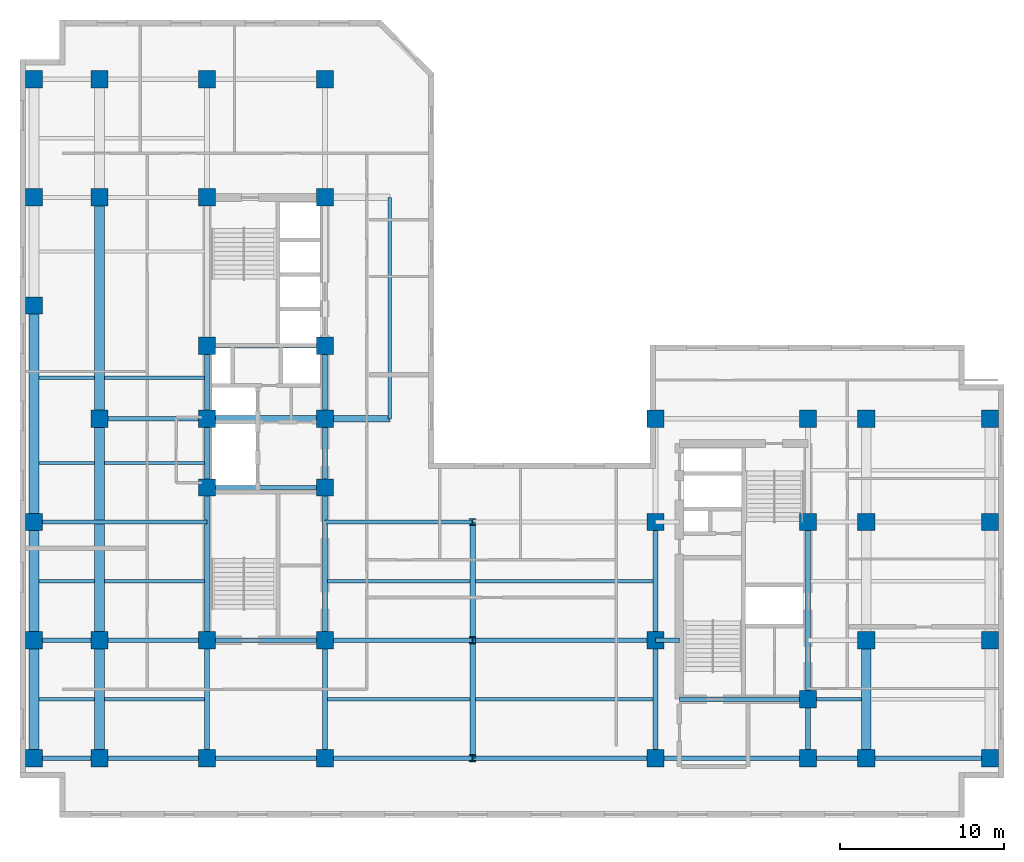
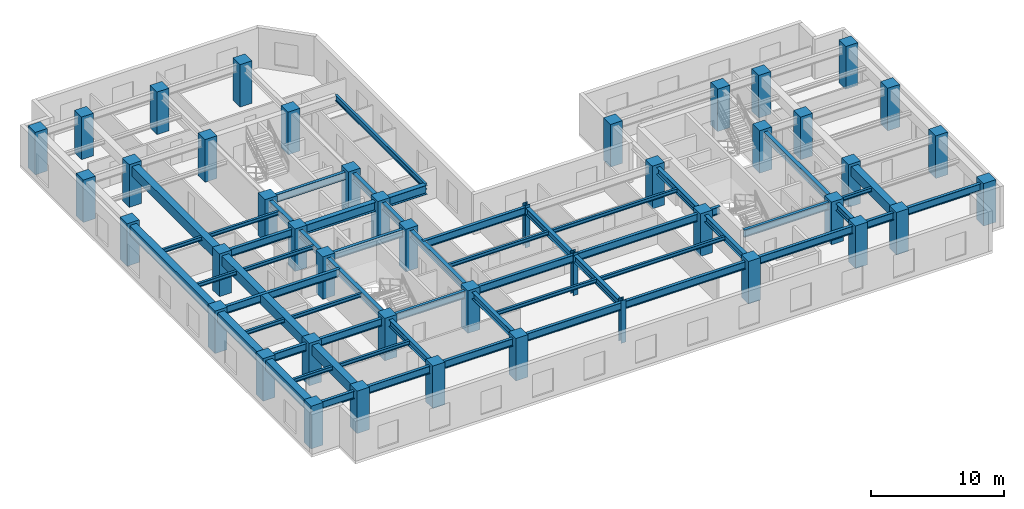
# One storey, part 1 of 10: 56 beams, 44 columns.
"""IFC4 building model written with IfcOpenShell, lengths in metres."""

from ifc_helpers import new_model, entity, si_unit, converted_unit, direction, frame, origin_with_axes, origin_2d_with_axis, place, context, subcontext, project, spatial, rectangle, i_section, extrude, material, material_profile, profile_set, type_object, element, save


model = new_model("IFC4")

# Units and contexts
model_context = context("Model", 3, precision=1e-05, world=origin_with_axes(), true_north=direction((0.0, 1.0)))
body_context = subcontext(model_context, "Body", "Model", "MODEL_VIEW")
ifc_project = project(units=[si_unit("LENGTHUNIT", "METRE"), si_unit("AREAUNIT", "SQUARE_METRE"), si_unit("VOLUMEUNIT", "CUBIC_METRE"), converted_unit("PLANEANGLEUNIT", "DEGREE", entity("IfcPlaneAngleMeasure", 0.017453292519943295), si_unit("PLANEANGLEUNIT", "RADIAN"), dimensions=[0, 0, 0, 0, 0, 0, 0]), si_unit("MASSUNIT", "GRAM", prefix="KILO"), si_unit("THERMODYNAMICTEMPERATUREUNIT", "KELVIN")], contexts=[model_context])

# Site, building, storey
site_placement = place(None, origin_with_axes())
site = spatial("IfcSite", under=ifc_project, at=site_placement, CompositionType="ELEMENT")
building_placement = place(site_placement, origin_with_axes())
building = spatial("IfcBuilding", under=site, at=building_placement, Name="Varnlund Millrace Tower", CompositionType="ELEMENT")
storey_placement = place(building_placement, frame((0.0, 0.0, 175.8), z_axis=(0.0, 0.0, 1.0), x_axis=(1.0, 0.0, 0.0)))
storey = spatial("IfcBuildingStorey", under=building, at=storey_placement, Name="L43", CompositionType="ELEMENT", Elevation=175.8)

# Columns
ifc_material_1 = material(Name="Steel ASTM A913 Grade 65", Category="steel")
ifc_material_profile_1 = material_profile(ifc_material_1, i_section(OverallWidth=0.406, OverallDepth=0.416, WebThickness=0.0298, FlangeThickness=0.048, FilletRadius=0.022, at=origin_2d_with_axis()), Name="Steel ASTM A913 Grade 65")
ifc_profile_set_1 = profile_set([ifc_material_profile_1], Name="Steel ASTM A913 Grade 65")
column_type_1 = type_object("IfcColumnType", Name="Type-Col-Int-W14X257", PredefinedType="COLUMN", material=ifc_profile_set_1)
for number, where, z_axis, x_axis, name in (
    (1, (27.6, 3.6, 0.0), (0.0, 0.0, 1.0), (1.0, 0.0, 0.0), "Type-Col-Int-W14X257"),
    (2, (27.6, 10.8, 0.0), (0.0, 0.0, 1.0), (1.0, 0.0, 0.0), "Type-Col-Int-W14X257"),
    (3, (27.6, 18.0, 0.0), (0.0, 0.0, 1.0), (1.0, 0.0, 0.0), "Type-Col-Int-W14X257"),
):
    element("IfcColumn", number, at=place(storey_placement, frame(where, z_axis=z_axis, x_axis=x_axis)), inside=storey, type_object=column_type_1, Name=name, PredefinedType="COLUMN", context=body_context, shape_type="SweptSolid", body=[
        extrude(i_section(OverallWidth=0.406, OverallDepth=0.416, WebThickness=0.0298, FlangeThickness=0.048, FilletRadius=0.022, at=origin_2d_with_axis()), origin_with_axes(), (0.0, 0.0, 1.0), 3.9),
    ])
ifc_material_2 = material(Name="Concrete C70/85", Category="concrete")
ifc_material_profile_2 = material_profile(ifc_material_2, rectangle(XDim=1.05, YDim=1.05, at=origin_2d_with_axis()), Name="Concrete C70/85")
ifc_profile_set_2 = profile_set([ifc_material_profile_2], Name="Concrete C70/85")
column_type_2 = type_object("IfcColumnType", Name="Type-Col-RC1050-C70", PredefinedType="COLUMN", material=ifc_profile_set_2)
for number, where, z_axis, x_axis, name in (
    (4, (11.4, 3.6, 0.0), (0.0, 0.0, 1.0), (1.0, 0.0, 0.0), "Type-Col-RC1050-C70"),
    (5, (11.4, 10.8, 0.0), (0.0, 0.0, 1.0), (1.0, 0.0, 0.0), "Type-Col-RC1050-C70"),
    (6, (11.4, 20.1, 0.0), (0.0, 0.0, 1.0), (1.0, 0.0, 0.0), "Type-Col-RC1050-C70"),
    (7, (11.4, 24.3, 0.0), (0.0, 0.0, 1.0), (1.0, 0.0, 0.0), "Type-Col-RC1050-C70"),
    (8, (11.4, 28.75, 0.0), (0.0, 0.0, 1.0), (1.0, 0.0, 0.0), "Type-Col-RC1050-C70"),
    (9, (11.4, 37.8, 0.0), (0.0, 0.0, 1.0), (1.0, 0.0, 0.0), "Type-Col-RC1050-C70"),
    (10, (11.4, 45.0, 0.0), (0.0, 0.0, 1.0), (1.0, 0.0, 0.0), "Type-Col-RC1050-C70"),
    (11, (18.6, 3.6, 0.0), (0.0, 0.0, 1.0), (1.0, 0.0, 0.0), "Type-Col-RC1050-C70"),
    (12, (18.6, 10.8, 0.0), (0.0, 0.0, 1.0), (1.0, 0.0, 0.0), "Type-Col-RC1050-C70"),
    (13, (18.6, 20.1, 0.0), (0.0, 0.0, 1.0), (1.0, 0.0, 0.0), "Type-Col-RC1050-C70"),
    (14, (18.6, 24.3, 0.0), (0.0, 0.0, 1.0), (1.0, 0.0, 0.0), "Type-Col-RC1050-C70"),
    (15, (18.6, 28.75, 0.0), (0.0, 0.0, 1.0), (1.0, 0.0, 0.0), "Type-Col-RC1050-C70"),
    (16, (18.6, 37.8, 0.0), (0.0, 0.0, 1.0), (1.0, 0.0, 0.0), "Type-Col-RC1050-C70"),
    (17, (18.6, 45.0, 0.0), (0.0, 0.0, 1.0), (1.0, 0.0, 0.0), "Type-Col-RC1050-C70"),
    (18, (4.85, 3.6, 0.0), (0.0, 0.0, 1.0), (1.0, 0.0, 0.0), "Type-Col-RC1050-C70"),
    (19, (4.85, 10.8, 0.0), (0.0, 0.0, 1.0), (1.0, 0.0, 0.0), "Type-Col-RC1050-C70"),
    (20, (4.85, 24.3, 0.0), (0.0, 0.0, 1.0), (1.0, 0.0, 0.0), "Type-Col-RC1050-C70"),
    (21, (4.85, 37.8, 0.0), (0.0, 0.0, 1.0), (1.0, 0.0, 0.0), "Type-Col-RC1050-C70"),
    (22, (4.85, 45.0, 0.0), (0.0, 0.0, 1.0), (1.0, 0.0, 0.0), "Type-Col-RC1050-C70"),
    (23, (0.85, 3.6, 0.0), (0.0, 0.0, 1.0), (1.0, 0.0, 0.0), "Type-Col-RC1050-C70"),
    (24, (0.85, 10.8, 0.0), (0.0, 0.0, 1.0), (1.0, 0.0, 0.0), "Type-Col-RC1050-C70"),
    (25, (0.85, 18.0, 0.0), (0.0, 0.0, 1.0), (1.0, 0.0, 0.0), "Type-Col-RC1050-C70"),
    (26, (0.85, 31.2, 0.0), (0.0, 0.0, 1.0), (1.0, 0.0, 0.0), "Type-Col-RC1050-C70"),
    (27, (0.85, 37.8, 0.0), (0.0, 0.0, 1.0), (1.0, 0.0, 0.0), "Type-Col-RC1050-C70"),
    (28, (0.85, 45.0, 0.0), (0.0, 0.0, 1.0), (1.0, 0.0, 0.0), "Type-Col-RC1050-C70"),
    (29, (38.75, 3.6, 0.0), (0.0, 0.0, 1.0), (1.0, 0.0, 0.0), "Type-Col-RC1050-C70"),
    (30, (38.75, 10.8, 0.0), (0.0, 0.0, 1.0), (1.0, 0.0, 0.0), "Type-Col-RC1050-C70"),
    (31, (38.75, 18.0, 0.0), (0.0, 0.0, 1.0), (1.0, 0.0, 0.0), "Type-Col-RC1050-C70"),
    (32, (38.75, 24.3, 0.0), (0.0, 0.0, 1.0), (1.0, 0.0, 0.0), "Type-Col-RC1050-C70"),
    (33, (48.05, 3.6, 0.0), (0.0, 0.0, 1.0), (1.0, 0.0, 0.0), "Type-Col-RC1050-C70"),
    (34, (48.05, 7.2, 0.0), (0.0, 0.0, 1.0), (1.0, 0.0, 0.0), "Type-Col-RC1050-C70"),
    (35, (48.05, 18.0, 0.0), (0.0, 0.0, 1.0), (1.0, 0.0, 0.0), "Type-Col-RC1050-C70"),
    (36, (48.05, 24.3, 0.0), (0.0, 0.0, 1.0), (1.0, 0.0, 0.0), "Type-Col-RC1050-C70"),
    (37, (51.6, 3.6, 0.0), (0.0, 0.0, 1.0), (1.0, 0.0, 0.0), "Type-Col-RC1050-C70"),
    (38, (51.6, 10.8, 0.0), (0.0, 0.0, 1.0), (1.0, 0.0, 0.0), "Type-Col-RC1050-C70"),
    (39, (51.6, 18.0, 0.0), (0.0, 0.0, 1.0), (1.0, 0.0, 0.0), "Type-Col-RC1050-C70"),
    (40, (51.6, 24.3, 0.0), (0.0, 0.0, 1.0), (1.0, 0.0, 0.0), "Type-Col-RC1050-C70"),
    (41, (59.15, 3.6, 0.0), (0.0, 0.0, 1.0), (1.0, 0.0, 0.0), "Type-Col-RC1050-C70"),
    (42, (59.15, 10.8, 0.0), (0.0, 0.0, 1.0), (1.0, 0.0, 0.0), "Type-Col-RC1050-C70"),
    (43, (59.15, 18.0, 0.0), (0.0, 0.0, 1.0), (1.0, 0.0, 0.0), "Type-Col-RC1050-C70"),
    (44, (59.15, 24.3, 0.0), (0.0, 0.0, 1.0), (1.0, 0.0, 0.0), "Type-Col-RC1050-C70"),
):
    element("IfcColumn", number, at=place(storey_placement, frame(where, z_axis=z_axis, x_axis=x_axis)), inside=storey, type_object=column_type_2, Name=name, PredefinedType="COLUMN", context=body_context, shape_type="SweptSolid", body=[
        extrude(rectangle(XDim=1.05, YDim=1.05, at=origin_2d_with_axis()), origin_with_axes(), (0.0, 0.0, 1.0), 3.9),
    ])

# Beams
ifc_material_3 = material(Name="Steel ASTM A992 Grade 50", Category="steel")
ifc_material_profile_3 = material_profile(ifc_material_3, i_section(OverallWidth=0.209, OverallDepth=0.533, WebThickness=0.0102, FlangeThickness=0.0156, FilletRadius=0.014, at=origin_2d_with_axis()), Name="Steel ASTM A992 Grade 50")
ifc_profile_set_3 = profile_set([ifc_material_profile_3], Name="Steel ASTM A992 Grade 50")
beam_type_1 = type_object("IfcBeamType", Name="Type-Beam-W21X62", PredefinedType="BEAM", material=ifc_profile_set_3)
beam_1_placement = place(storey_placement, frame((22.55, 24.3, 3.3935), z_axis=(0.0, 1.0, 0.0), x_axis=(-1.0, 0.0, 0.0)))
element("IfcBeam", 45, at=beam_1_placement, inside=storey, type_object=beam_type_1, Name="Type-Beam-W21X62", PredefinedType="BEAM", context=body_context, shape_type="SweptSolid", body=[
    extrude(i_section(OverallWidth=0.209, OverallDepth=0.533, WebThickness=0.0102, FlangeThickness=0.0156, FilletRadius=0.014, at=origin_2d_with_axis()), origin_with_axes(), (0.0, 0.0, 1.0), 13.5),
])
ifc_material_profile_4 = material_profile(ifc_material_3, i_section(OverallWidth=0.328, OverallDepth=0.628, WebThickness=0.0165, FlangeThickness=0.0277, FilletRadius=0.018, at=origin_2d_with_axis()), Name="Steel ASTM A992 Grade 50")
ifc_profile_set_4 = profile_set([ifc_material_profile_4], Name="Steel ASTM A992 Grade 50")
beam_type_2 = type_object("IfcBeamType", Name="Type-Girder-W24X146", PredefinedType="USERDEFINED", material=ifc_profile_set_4)
beam_2_placement = place(storey_placement, frame((11.4, 3.6, 3.346), z_axis=(0.0, 1.0, 0.0), x_axis=(-1.0, 0.0, 0.0)))
element("IfcBeam", 46, at=beam_2_placement, inside=storey, type_object=beam_type_2, Name="Type-Girder-W24X146", ObjectType="GIRDER", PredefinedType="USERDEFINED", context=body_context, shape_type="SweptSolid", body=[
    extrude(i_section(OverallWidth=0.328, OverallDepth=0.628, WebThickness=0.0165, FlangeThickness=0.0277, FilletRadius=0.018, at=origin_2d_with_axis()), origin_with_axes(), (0.0, 0.0, 1.0), 7.2),
])
beam_3_placement = place(storey_placement, frame((11.4, 10.8, 3.346), z_axis=(0.0, 1.0, 0.0), x_axis=(-1.0, 0.0, 0.0)))
element("IfcBeam", 47, at=beam_3_placement, inside=storey, type_object=beam_type_2, Name="Type-Girder-W24X146", ObjectType="GIRDER", PredefinedType="USERDEFINED", context=body_context, shape_type="SweptSolid", body=[
    extrude(i_section(OverallWidth=0.328, OverallDepth=0.628, WebThickness=0.0165, FlangeThickness=0.0277, FilletRadius=0.018, at=origin_2d_with_axis()), origin_with_axes(), (0.0, 0.0, 1.0), 9.3),
])
beam_4_placement = place(storey_placement, frame((11.4, 20.1, 3.346), z_axis=(0.0, 1.0, 0.0), x_axis=(-1.0, 0.0, 0.0)))
element("IfcBeam", 48, at=beam_4_placement, inside=storey, type_object=beam_type_2, Name="Type-Girder-W24X146", ObjectType="GIRDER", PredefinedType="USERDEFINED", context=body_context, shape_type="SweptSolid", body=[
    extrude(i_section(OverallWidth=0.328, OverallDepth=0.628, WebThickness=0.0165, FlangeThickness=0.0277, FilletRadius=0.018, at=origin_2d_with_axis()), origin_with_axes(), (0.0, 0.0, 1.0), 4.2),
])
beam_5_placement = place(storey_placement, frame((11.4, 24.3, 3.346), z_axis=(0.0, 1.0, 0.0), x_axis=(-1.0, 0.0, 0.0)))
element("IfcBeam", 49, at=beam_5_placement, inside=storey, type_object=beam_type_2, Name="Type-Girder-W24X146", ObjectType="GIRDER", PredefinedType="USERDEFINED", context=body_context, shape_type="SweptSolid", body=[
    extrude(i_section(OverallWidth=0.328, OverallDepth=0.628, WebThickness=0.0165, FlangeThickness=0.0277, FilletRadius=0.018, at=origin_2d_with_axis()), origin_with_axes(), (0.0, 0.0, 1.0), 4.45),
])
beam_6_placement = place(storey_placement, frame((18.6, 3.6, 3.346), z_axis=(0.0, 1.0, 0.0), x_axis=(-1.0, 0.0, 0.0)))
element("IfcBeam", 50, at=beam_6_placement, inside=storey, type_object=beam_type_2, Name="Type-Girder-W24X146", ObjectType="GIRDER", PredefinedType="USERDEFINED", context=body_context, shape_type="SweptSolid", body=[
    extrude(i_section(OverallWidth=0.328, OverallDepth=0.628, WebThickness=0.0165, FlangeThickness=0.0277, FilletRadius=0.018, at=origin_2d_with_axis()), origin_with_axes(), (0.0, 0.0, 1.0), 7.2),
])
beam_7_placement = place(storey_placement, frame((18.6, 10.8, 3.346), z_axis=(0.0, 1.0, 0.0), x_axis=(-1.0, 0.0, 0.0)))
element("IfcBeam", 51, at=beam_7_placement, inside=storey, type_object=beam_type_2, Name="Type-Girder-W24X146", ObjectType="GIRDER", PredefinedType="USERDEFINED", context=body_context, shape_type="SweptSolid", body=[
    extrude(i_section(OverallWidth=0.328, OverallDepth=0.628, WebThickness=0.0165, FlangeThickness=0.0277, FilletRadius=0.018, at=origin_2d_with_axis()), origin_with_axes(), (0.0, 0.0, 1.0), 9.3),
])
beam_8_placement = place(storey_placement, frame((18.6, 20.1, 3.346), z_axis=(0.0, 1.0, 0.0), x_axis=(-1.0, 0.0, 0.0)))
element("IfcBeam", 52, at=beam_8_placement, inside=storey, type_object=beam_type_2, Name="Type-Girder-W24X146", ObjectType="GIRDER", PredefinedType="USERDEFINED", context=body_context, shape_type="SweptSolid", body=[
    extrude(i_section(OverallWidth=0.328, OverallDepth=0.628, WebThickness=0.0165, FlangeThickness=0.0277, FilletRadius=0.018, at=origin_2d_with_axis()), origin_with_axes(), (0.0, 0.0, 1.0), 4.2),
])
beam_9_placement = place(storey_placement, frame((18.6, 24.3, 3.346), z_axis=(0.0, 1.0, 0.0), x_axis=(-1.0, 0.0, 0.0)))
element("IfcBeam", 53, at=beam_9_placement, inside=storey, type_object=beam_type_2, Name="Type-Girder-W24X146", ObjectType="GIRDER", PredefinedType="USERDEFINED", context=body_context, shape_type="SweptSolid", body=[
    extrude(i_section(OverallWidth=0.328, OverallDepth=0.628, WebThickness=0.0165, FlangeThickness=0.0277, FilletRadius=0.018, at=origin_2d_with_axis()), origin_with_axes(), (0.0, 0.0, 1.0), 4.45),
])
for number, where, z_axis, x_axis, name in (
    (54, (27.6, 3.6, 3.346), (0.0, 1.0, 0.0), (-1.0, 0.0, 0.0), "Type-Girder-W24X146"),
    (55, (27.6, 10.8, 3.346), (0.0, 1.0, 0.0), (-1.0, 0.0, 0.0), "Type-Girder-W24X146"),
    (56, (38.75, 3.6, 3.346), (0.0, 1.0, 0.0), (-1.0, 0.0, 0.0), "Type-Girder-W24X146"),
    (57, (38.75, 10.8, 3.346), (0.0, 1.0, 0.0), (-1.0, 0.0, 0.0), "Type-Girder-W24X146"),
):
    element("IfcBeam", number, at=place(storey_placement, frame(where, z_axis=z_axis, x_axis=x_axis)), inside=storey, type_object=beam_type_2, Name=name, ObjectType="GIRDER", PredefinedType="USERDEFINED", context=body_context, shape_type="SweptSolid", body=[
        extrude(i_section(OverallWidth=0.328, OverallDepth=0.628, WebThickness=0.0165, FlangeThickness=0.0277, FilletRadius=0.018, at=origin_2d_with_axis()), origin_with_axes(), (0.0, 0.0, 1.0), 7.2),
    ])
beam_10_placement = place(storey_placement, frame((48.05, 3.6, 3.346), z_axis=(0.0, 1.0, 0.0), x_axis=(-1.0, 0.0, 0.0)))
element("IfcBeam", 58, at=beam_10_placement, inside=storey, type_object=beam_type_2, Name="Type-Girder-W24X146", ObjectType="GIRDER", PredefinedType="USERDEFINED", context=body_context, shape_type="SweptSolid", body=[
    extrude(i_section(OverallWidth=0.328, OverallDepth=0.628, WebThickness=0.0165, FlangeThickness=0.0277, FilletRadius=0.018, at=origin_2d_with_axis()), origin_with_axes(), (0.0, 0.0, 1.0), 3.6),
])
beam_11_placement = place(storey_placement, frame((48.05, 7.2, 3.346), z_axis=(0.0, 1.0, 0.0), x_axis=(-1.0, 0.0, 0.0)))
element("IfcBeam", 59, at=beam_11_placement, inside=storey, type_object=beam_type_2, Name="Type-Girder-W24X146", ObjectType="GIRDER", PredefinedType="USERDEFINED", context=body_context, shape_type="SweptSolid", body=[
    extrude(i_section(OverallWidth=0.328, OverallDepth=0.628, WebThickness=0.0165, FlangeThickness=0.0277, FilletRadius=0.018, at=origin_2d_with_axis()), origin_with_axes(), (0.0, 0.0, 1.0), 10.8),
])
ifc_material_profile_5 = material_profile(ifc_material_3, i_section(OverallWidth=0.256, OverallDepth=0.693, WebThickness=0.0145, FlangeThickness=0.0236, FilletRadius=0.018, at=origin_2d_with_axis()), Name="Steel ASTM A992 Grade 50")
ifc_profile_set_5 = profile_set([ifc_material_profile_5], Name="Steel ASTM A992 Grade 50")
beam_type_3 = type_object("IfcBeamType", Name="Type-Girder-W27X114", PredefinedType="USERDEFINED", material=ifc_profile_set_5)
beam_12_placement = place(storey_placement, frame((0.85, 3.6, 3.3135), z_axis=(1.0, 0.0, 0.0), x_axis=(0.0, 1.0, 0.0)))
element("IfcBeam", 60, at=beam_12_placement, inside=storey, type_object=beam_type_3, Name="Type-Girder-W27X114", ObjectType="GIRDER", PredefinedType="USERDEFINED", context=body_context, shape_type="SweptSolid", body=[
    extrude(i_section(OverallWidth=0.256, OverallDepth=0.693, WebThickness=0.0145, FlangeThickness=0.0236, FilletRadius=0.018, at=origin_2d_with_axis()), origin_with_axes(), (0.0, 0.0, 1.0), 4.0),
])
beam_13_placement = place(storey_placement, frame((4.85, 3.6, 3.3135), z_axis=(1.0, 0.0, 0.0), x_axis=(0.0, 1.0, 0.0)))
element("IfcBeam", 61, at=beam_13_placement, inside=storey, type_object=beam_type_3, Name="Type-Girder-W27X114", ObjectType="GIRDER", PredefinedType="USERDEFINED", context=body_context, shape_type="SweptSolid", body=[
    extrude(i_section(OverallWidth=0.256, OverallDepth=0.693, WebThickness=0.0145, FlangeThickness=0.0236, FilletRadius=0.018, at=origin_2d_with_axis()), origin_with_axes(), (0.0, 0.0, 1.0), 6.55),
])
beam_14_placement = place(storey_placement, frame((11.4, 3.6, 3.3135), z_axis=(1.0, 0.0, 0.0), x_axis=(0.0, 1.0, 0.0)))
element("IfcBeam", 62, at=beam_14_placement, inside=storey, type_object=beam_type_3, Name="Type-Girder-W27X114", ObjectType="GIRDER", PredefinedType="USERDEFINED", context=body_context, shape_type="SweptSolid", body=[
    extrude(i_section(OverallWidth=0.256, OverallDepth=0.693, WebThickness=0.0145, FlangeThickness=0.0236, FilletRadius=0.018, at=origin_2d_with_axis()), origin_with_axes(), (0.0, 0.0, 1.0), 7.2),
])
beam_15_placement = place(storey_placement, frame((18.6, 3.6, 3.3135), z_axis=(1.0, 0.0, 0.0), x_axis=(0.0, 1.0, 0.0)))
element("IfcBeam", 63, at=beam_15_placement, inside=storey, type_object=beam_type_3, Name="Type-Girder-W27X114", ObjectType="GIRDER", PredefinedType="USERDEFINED", context=body_context, shape_type="SweptSolid", body=[
    extrude(i_section(OverallWidth=0.256, OverallDepth=0.693, WebThickness=0.0145, FlangeThickness=0.0236, FilletRadius=0.018, at=origin_2d_with_axis()), origin_with_axes(), (0.0, 0.0, 1.0), 9.0),
])
beam_16_placement = place(storey_placement, frame((27.6, 3.6, 3.3135), z_axis=(1.0, 0.0, 0.0), x_axis=(0.0, 1.0, 0.0)))
element("IfcBeam", 64, at=beam_16_placement, inside=storey, type_object=beam_type_3, Name="Type-Girder-W27X114", ObjectType="GIRDER", PredefinedType="USERDEFINED", context=body_context, shape_type="SweptSolid", body=[
    extrude(i_section(OverallWidth=0.256, OverallDepth=0.693, WebThickness=0.0145, FlangeThickness=0.0236, FilletRadius=0.018, at=origin_2d_with_axis()), origin_with_axes(), (0.0, 0.0, 1.0), 11.15),
])
beam_17_placement = place(storey_placement, frame((38.75, 3.6, 3.3135), z_axis=(1.0, 0.0, 0.0), x_axis=(0.0, 1.0, 0.0)))
element("IfcBeam", 65, at=beam_17_placement, inside=storey, type_object=beam_type_3, Name="Type-Girder-W27X114", ObjectType="GIRDER", PredefinedType="USERDEFINED", context=body_context, shape_type="SweptSolid", body=[
    extrude(i_section(OverallWidth=0.256, OverallDepth=0.693, WebThickness=0.0145, FlangeThickness=0.0236, FilletRadius=0.018, at=origin_2d_with_axis()), origin_with_axes(), (0.0, 0.0, 1.0), 9.3),
])
beam_18_placement = place(storey_placement, frame((48.05, 3.6, 3.3135), z_axis=(1.0, 0.0, 0.0), x_axis=(0.0, 1.0, 0.0)))
element("IfcBeam", 66, at=beam_18_placement, inside=storey, type_object=beam_type_3, Name="Type-Girder-W27X114", ObjectType="GIRDER", PredefinedType="USERDEFINED", context=body_context, shape_type="SweptSolid", body=[
    extrude(i_section(OverallWidth=0.256, OverallDepth=0.693, WebThickness=0.0145, FlangeThickness=0.0236, FilletRadius=0.018, at=origin_2d_with_axis()), origin_with_axes(), (0.0, 0.0, 1.0), 3.55),
])
beam_19_placement = place(storey_placement, frame((51.6, 3.6, 3.3135), z_axis=(1.0, 0.0, 0.0), x_axis=(0.0, 1.0, 0.0)))
element("IfcBeam", 67, at=beam_19_placement, inside=storey, type_object=beam_type_3, Name="Type-Girder-W27X114", ObjectType="GIRDER", PredefinedType="USERDEFINED", context=body_context, shape_type="SweptSolid", body=[
    extrude(i_section(OverallWidth=0.256, OverallDepth=0.693, WebThickness=0.0145, FlangeThickness=0.0236, FilletRadius=0.018, at=origin_2d_with_axis()), origin_with_axes(), (0.0, 0.0, 1.0), 7.55),
])
beam_20_placement = place(storey_placement, frame((40.2, 7.2, 3.3135), z_axis=(1.0, 0.0, 0.0), x_axis=(0.0, 1.0, 0.0)))
element("IfcBeam", 68, at=beam_20_placement, inside=storey, type_object=beam_type_3, Name="Type-Girder-W27X114", ObjectType="GIRDER", PredefinedType="USERDEFINED", context=body_context, shape_type="SweptSolid", body=[
    extrude(i_section(OverallWidth=0.256, OverallDepth=0.693, WebThickness=0.0145, FlangeThickness=0.0236, FilletRadius=0.018, at=origin_2d_with_axis()), origin_with_axes(), (0.0, 0.0, 1.0), 7.85),
])
beam_21_placement = place(storey_placement, frame((0.85, 10.8, 3.3135), z_axis=(1.0, 0.0, 0.0), x_axis=(0.0, 1.0, 0.0)))
element("IfcBeam", 69, at=beam_21_placement, inside=storey, type_object=beam_type_3, Name="Type-Girder-W27X114", ObjectType="GIRDER", PredefinedType="USERDEFINED", context=body_context, shape_type="SweptSolid", body=[
    extrude(i_section(OverallWidth=0.256, OverallDepth=0.693, WebThickness=0.0145, FlangeThickness=0.0236, FilletRadius=0.018, at=origin_2d_with_axis()), origin_with_axes(), (0.0, 0.0, 1.0), 4.0),
])
beam_22_placement = place(storey_placement, frame((4.85, 10.8, 3.3135), z_axis=(1.0, 0.0, 0.0), x_axis=(0.0, 1.0, 0.0)))
element("IfcBeam", 70, at=beam_22_placement, inside=storey, type_object=beam_type_3, Name="Type-Girder-W27X114", ObjectType="GIRDER", PredefinedType="USERDEFINED", context=body_context, shape_type="SweptSolid", body=[
    extrude(i_section(OverallWidth=0.256, OverallDepth=0.693, WebThickness=0.0145, FlangeThickness=0.0236, FilletRadius=0.018, at=origin_2d_with_axis()), origin_with_axes(), (0.0, 0.0, 1.0), 6.55),
])
beam_23_placement = place(storey_placement, frame((11.4, 10.8, 3.3135), z_axis=(1.0, 0.0, 0.0), x_axis=(0.0, 1.0, 0.0)))
element("IfcBeam", 71, at=beam_23_placement, inside=storey, type_object=beam_type_3, Name="Type-Girder-W27X114", ObjectType="GIRDER", PredefinedType="USERDEFINED", context=body_context, shape_type="SweptSolid", body=[
    extrude(i_section(OverallWidth=0.256, OverallDepth=0.693, WebThickness=0.0145, FlangeThickness=0.0236, FilletRadius=0.018, at=origin_2d_with_axis()), origin_with_axes(), (0.0, 0.0, 1.0), 7.2),
])
beam_24_placement = place(storey_placement, frame((18.6, 10.8, 3.3135), z_axis=(1.0, 0.0, 0.0), x_axis=(0.0, 1.0, 0.0)))
element("IfcBeam", 72, at=beam_24_placement, inside=storey, type_object=beam_type_3, Name="Type-Girder-W27X114", ObjectType="GIRDER", PredefinedType="USERDEFINED", context=body_context, shape_type="SweptSolid", body=[
    extrude(i_section(OverallWidth=0.256, OverallDepth=0.693, WebThickness=0.0145, FlangeThickness=0.0236, FilletRadius=0.018, at=origin_2d_with_axis()), origin_with_axes(), (0.0, 0.0, 1.0), 9.0),
])
beam_25_placement = place(storey_placement, frame((27.6, 10.8, 3.3135), z_axis=(1.0, 0.0, 0.0), x_axis=(0.0, 1.0, 0.0)))
element("IfcBeam", 73, at=beam_25_placement, inside=storey, type_object=beam_type_3, Name="Type-Girder-W27X114", ObjectType="GIRDER", PredefinedType="USERDEFINED", context=body_context, shape_type="SweptSolid", body=[
    extrude(i_section(OverallWidth=0.256, OverallDepth=0.693, WebThickness=0.0145, FlangeThickness=0.0236, FilletRadius=0.018, at=origin_2d_with_axis()), origin_with_axes(), (0.0, 0.0, 1.0), 11.15),
])
beam_26_placement = place(storey_placement, frame((38.75, 10.8, 3.3135), z_axis=(1.0, 0.0, 0.0), x_axis=(0.0, 1.0, 0.0)))
element("IfcBeam", 74, at=beam_26_placement, inside=storey, type_object=beam_type_3, Name="Type-Girder-W27X114", ObjectType="GIRDER", PredefinedType="USERDEFINED", context=body_context, shape_type="SweptSolid", body=[
    extrude(i_section(OverallWidth=0.256, OverallDepth=0.693, WebThickness=0.0145, FlangeThickness=0.0236, FilletRadius=0.018, at=origin_2d_with_axis()), origin_with_axes(), (0.0, 0.0, 1.0), 1.45),
])
beam_27_placement = place(storey_placement, frame((0.85, 18.0, 3.3135), z_axis=(1.0, 0.0, 0.0), x_axis=(0.0, 1.0, 0.0)))
element("IfcBeam", 75, at=beam_27_placement, inside=storey, type_object=beam_type_3, Name="Type-Girder-W27X114", ObjectType="GIRDER", PredefinedType="USERDEFINED", context=body_context, shape_type="SweptSolid", body=[
    extrude(i_section(OverallWidth=0.256, OverallDepth=0.693, WebThickness=0.0145, FlangeThickness=0.0236, FilletRadius=0.018, at=origin_2d_with_axis()), origin_with_axes(), (0.0, 0.0, 1.0), 10.55),
])
beam_28_placement = place(storey_placement, frame((18.6, 18.0, 3.3135), z_axis=(1.0, 0.0, 0.0), x_axis=(0.0, 1.0, 0.0)))
element("IfcBeam", 76, at=beam_28_placement, inside=storey, type_object=beam_type_3, Name="Type-Girder-W27X114", ObjectType="GIRDER", PredefinedType="USERDEFINED", context=body_context, shape_type="SweptSolid", body=[
    extrude(i_section(OverallWidth=0.256, OverallDepth=0.693, WebThickness=0.0145, FlangeThickness=0.0236, FilletRadius=0.018, at=origin_2d_with_axis()), origin_with_axes(), (0.0, 0.0, 1.0), 9.0),
])
beam_29_placement = place(storey_placement, frame((11.4, 20.1, 3.3135), z_axis=(1.0, 0.0, 0.0), x_axis=(0.0, 1.0, 0.0)))
element("IfcBeam", 77, at=beam_29_placement, inside=storey, type_object=beam_type_3, Name="Type-Girder-W27X114", ObjectType="GIRDER", PredefinedType="USERDEFINED", context=body_context, shape_type="SweptSolid", body=[
    extrude(i_section(OverallWidth=0.256, OverallDepth=0.693, WebThickness=0.0145, FlangeThickness=0.0236, FilletRadius=0.018, at=origin_2d_with_axis()), origin_with_axes(), (0.0, 0.0, 1.0), 7.2),
])
beam_30_placement = place(storey_placement, frame((4.85, 24.3, 3.3135), z_axis=(1.0, 0.0, 0.0), x_axis=(0.0, 1.0, 0.0)))
element("IfcBeam", 78, at=beam_30_placement, inside=storey, type_object=beam_type_3, Name="Type-Girder-W27X114", ObjectType="GIRDER", PredefinedType="USERDEFINED", context=body_context, shape_type="SweptSolid", body=[
    extrude(i_section(OverallWidth=0.256, OverallDepth=0.693, WebThickness=0.0145, FlangeThickness=0.0236, FilletRadius=0.018, at=origin_2d_with_axis()), origin_with_axes(), (0.0, 0.0, 1.0), 6.55),
])
beam_31_placement = place(storey_placement, frame((11.4, 28.75, 3.3135), z_axis=(1.0, 0.0, 0.0), x_axis=(0.0, 1.0, 0.0)))
element("IfcBeam", 79, at=beam_31_placement, inside=storey, type_object=beam_type_3, Name="Type-Girder-W27X114", ObjectType="GIRDER", PredefinedType="USERDEFINED", context=body_context, shape_type="SweptSolid", body=[
    extrude(i_section(OverallWidth=0.256, OverallDepth=0.693, WebThickness=0.0145, FlangeThickness=0.0236, FilletRadius=0.018, at=origin_2d_with_axis()), origin_with_axes(), (0.0, 0.0, 1.0), 7.2),
])
ifc_material_profile_6 = material_profile(ifc_material_3, i_section(OverallWidth=0.399, OverallDepth=0.855, WebThickness=0.0182, FlangeThickness=0.0292, FilletRadius=0.022, at=origin_2d_with_axis()), Name="Steel ASTM A992 Grade 50")
ifc_profile_set_6 = profile_set([ifc_material_profile_6], Name="Steel ASTM A992 Grade 50")
beam_type_4 = type_object("IfcBeamType", Name="Type-Girder-W33X201", PredefinedType="USERDEFINED", material=ifc_profile_set_6)
beam_32_placement = place(storey_placement, frame((11.4, 24.3, 3.2325), z_axis=(1.0, 0.0, 0.0), x_axis=(0.0, 1.0, 0.0)))
element("IfcBeam", 80, at=beam_32_placement, inside=storey, type_object=beam_type_4, Name="Type-Girder-W33X201", ObjectType="GIRDER", PredefinedType="USERDEFINED", context=body_context, shape_type="SweptSolid", body=[
    extrude(i_section(OverallWidth=0.399, OverallDepth=0.855, WebThickness=0.0182, FlangeThickness=0.0292, FilletRadius=0.022, at=origin_2d_with_axis()), origin_with_axes(), (0.0, 0.0, 1.0), 11.15),
])
ifc_material_profile_7 = material_profile(ifc_material_3, i_section(OverallWidth=0.204, OverallDepth=0.35, WebThickness=0.0086, FlangeThickness=0.0151, FilletRadius=0.013, at=origin_2d_with_axis()), Name="Steel ASTM A992 Grade 50")
ifc_profile_set_7 = profile_set([ifc_material_profile_7], Name="Steel ASTM A992 Grade 50")
beam_type_5 = type_object("IfcBeamType", Name="Type-Joist-W14X48", PredefinedType="JOIST", material=ifc_profile_set_7)
for number, where, z_axis, x_axis, name in (
    (81, (1.15, 7.2, 3.485), (1.0, 0.0, 0.0), (0.0, 1.0, 0.0), "Type-Joist-W14X48"),
    (82, (1.15, 14.4, 3.485), (1.0, 0.0, 0.0), (0.0, 1.0, 0.0), "Type-Joist-W14X48"),
    (83, (1.15, 21.6, 3.485), (1.0, 0.0, 0.0), (0.0, 1.0, 0.0), "Type-Joist-W14X48"),
    (84, (1.15, 26.8, 3.485), (1.0, 0.0, 0.0), (0.0, 1.0, 0.0), "Type-Joist-W14X48"),
):
    element("IfcBeam", number, at=place(storey_placement, frame(where, z_axis=z_axis, x_axis=x_axis)), inside=storey, type_object=beam_type_5, Name=name, PredefinedType="JOIST", context=body_context, shape_type="SweptSolid", body=[
        extrude(i_section(OverallWidth=0.204, OverallDepth=0.35, WebThickness=0.0086, FlangeThickness=0.0151, FilletRadius=0.013, at=origin_2d_with_axis()), origin_with_axes(), (0.0, 0.0, 1.0), 3.4),
    ])
for number, where, z_axis, x_axis, name in (
    (85, (5.15, 7.2, 3.485), (1.0, 0.0, 0.0), (0.0, 1.0, 0.0), "Type-Joist-W14X48"),
    (86, (5.15, 14.4, 3.485), (1.0, 0.0, 0.0), (0.0, 1.0, 0.0), "Type-Joist-W14X48"),
    (87, (5.15, 21.6, 3.485), (1.0, 0.0, 0.0), (0.0, 1.0, 0.0), "Type-Joist-W14X48"),
    (88, (5.15, 26.8, 3.485), (1.0, 0.0, 0.0), (0.0, 1.0, 0.0), "Type-Joist-W14X48"),
):
    element("IfcBeam", number, at=place(storey_placement, frame(where, z_axis=z_axis, x_axis=x_axis)), inside=storey, type_object=beam_type_5, Name=name, PredefinedType="JOIST", context=body_context, shape_type="SweptSolid", body=[
        extrude(i_section(OverallWidth=0.204, OverallDepth=0.35, WebThickness=0.0086, FlangeThickness=0.0151, FilletRadius=0.013, at=origin_2d_with_axis()), origin_with_axes(), (0.0, 0.0, 1.0), 6.086),
    ])
beam_33_placement = place(storey_placement, frame((48.214, 7.2, 3.485), z_axis=(1.0, 0.0, 0.0), x_axis=(0.0, 1.0, 0.0)))
element("IfcBeam", 89, at=beam_33_placement, inside=storey, type_object=beam_type_5, Name="Type-Joist-W14X48", PredefinedType="JOIST", context=body_context, shape_type="SweptSolid", body=[
    extrude(i_section(OverallWidth=0.204, OverallDepth=0.35, WebThickness=0.0086, FlangeThickness=0.0151, FilletRadius=0.013, at=origin_2d_with_axis()), origin_with_axes(), (0.0, 0.0, 1.0), 3.086),
])
for number, where, z_axis, x_axis, name in (
    (90, (18.764, 7.2, 3.485), (1.0, 0.0, 0.0), (0.0, 1.0, 0.0), "Type-Joist-W14X48"),
    (91, (18.764, 14.4, 3.485), (1.0, 0.0, 0.0), (0.0, 1.0, 0.0), "Type-Joist-W14X48"),
):
    element("IfcBeam", number, at=place(storey_placement, frame(where, z_axis=z_axis, x_axis=x_axis)), inside=storey, type_object=beam_type_5, Name=name, PredefinedType="JOIST", context=body_context, shape_type="SweptSolid", body=[
        extrude(i_section(OverallWidth=0.204, OverallDepth=0.35, WebThickness=0.0086, FlangeThickness=0.0151, FilletRadius=0.013, at=origin_2d_with_axis()), origin_with_axes(), (0.0, 0.0, 1.0), 8.672),
    ])
for number, where, z_axis, x_axis, name in (
    (92, (27.764, 7.2, 3.485), (1.0, 0.0, 0.0), (0.0, 1.0, 0.0), "Type-Joist-W14X48"),
    (93, (27.764, 14.4, 3.485), (1.0, 0.0, 0.0), (0.0, 1.0, 0.0), "Type-Joist-W14X48"),
):
    element("IfcBeam", number, at=place(storey_placement, frame(where, z_axis=z_axis, x_axis=x_axis)), inside=storey, type_object=beam_type_5, Name=name, PredefinedType="JOIST", context=body_context, shape_type="SweptSolid", body=[
        extrude(i_section(OverallWidth=0.204, OverallDepth=0.35, WebThickness=0.0086, FlangeThickness=0.0151, FilletRadius=0.013, at=origin_2d_with_axis()), origin_with_axes(), (0.0, 0.0, 1.0), 10.822),
    ])
ifc_material_profile_8 = material_profile(ifc_material_2, rectangle(XDim=0.6, YDim=0.9, at=origin_2d_with_axis()), Name="Concrete C70/85")
ifc_profile_set_8 = profile_set([ifc_material_profile_8], Name="Concrete C70/85")
beam_type_6 = type_object("IfcBeamType", Name="Type-Spandrel-RC600X900", PredefinedType="SPANDREL", material=ifc_profile_set_8)
for number, where, z_axis, x_axis, name in (
    (94, (0.85, 3.6, 3.21), (0.0, 1.0, 0.0), (-1.0, 0.0, 0.0), "Type-Spandrel-RC600X900"),
    (95, (0.85, 10.8, 3.21), (0.0, 1.0, 0.0), (-1.0, 0.0, 0.0), "Type-Spandrel-RC600X900"),
):
    element("IfcBeam", number, at=place(storey_placement, frame(where, z_axis=z_axis, x_axis=x_axis)), inside=storey, type_object=beam_type_6, Name=name, PredefinedType="SPANDREL", context=body_context, shape_type="SweptSolid", body=[
        extrude(rectangle(XDim=0.6, YDim=0.9, at=origin_2d_with_axis()), origin_with_axes(), (0.0, 0.0, 1.0), 7.2),
    ])
beam_34_placement = place(storey_placement, frame((0.85, 18.0, 3.21), z_axis=(0.0, 1.0, 0.0), x_axis=(-1.0, 0.0, 0.0)))
element("IfcBeam", 96, at=beam_34_placement, inside=storey, type_object=beam_type_6, Name="Type-Spandrel-RC600X900", PredefinedType="SPANDREL", context=body_context, shape_type="SweptSolid", body=[
    extrude(rectangle(XDim=0.6, YDim=0.9, at=origin_2d_with_axis()), origin_with_axes(), (0.0, 0.0, 1.0), 13.2),
])
beam_35_placement = place(storey_placement, frame((4.85, 3.6, 3.21), z_axis=(0.0, 1.0, 0.0), x_axis=(-1.0, 0.0, 0.0)))
element("IfcBeam", 97, at=beam_35_placement, inside=storey, type_object=beam_type_6, Name="Type-Spandrel-RC600X900", PredefinedType="SPANDREL", context=body_context, shape_type="SweptSolid", body=[
    extrude(rectangle(XDim=0.6, YDim=0.9, at=origin_2d_with_axis()), origin_with_axes(), (0.0, 0.0, 1.0), 7.2),
])
for number, where, z_axis, x_axis, name in (
    (98, (4.85, 10.8, 3.21), (0.0, 1.0, 0.0), (-1.0, 0.0, 0.0), "Type-Spandrel-RC600X900"),
    (99, (4.85, 24.3, 3.21), (0.0, 1.0, 0.0), (-1.0, 0.0, 0.0), "Type-Spandrel-RC600X900"),
):
    element("IfcBeam", number, at=place(storey_placement, frame(where, z_axis=z_axis, x_axis=x_axis)), inside=storey, type_object=beam_type_6, Name=name, PredefinedType="SPANDREL", context=body_context, shape_type="SweptSolid", body=[
        extrude(rectangle(XDim=0.6, YDim=0.9, at=origin_2d_with_axis()), origin_with_axes(), (0.0, 0.0, 1.0), 13.5),
    ])
beam_36_placement = place(storey_placement, frame((51.6, 3.6, 3.21), z_axis=(0.0, 1.0, 0.0), x_axis=(-1.0, 0.0, 0.0)))
element("IfcBeam", 100, at=beam_36_placement, inside=storey, type_object=beam_type_6, Name="Type-Spandrel-RC600X900", PredefinedType="SPANDREL", context=body_context, shape_type="SweptSolid", body=[
    extrude(rectangle(XDim=0.6, YDim=0.9, at=origin_2d_with_axis()), origin_with_axes(), (0.0, 0.0, 1.0), 7.2),
])

save(model, "model.ifc")
